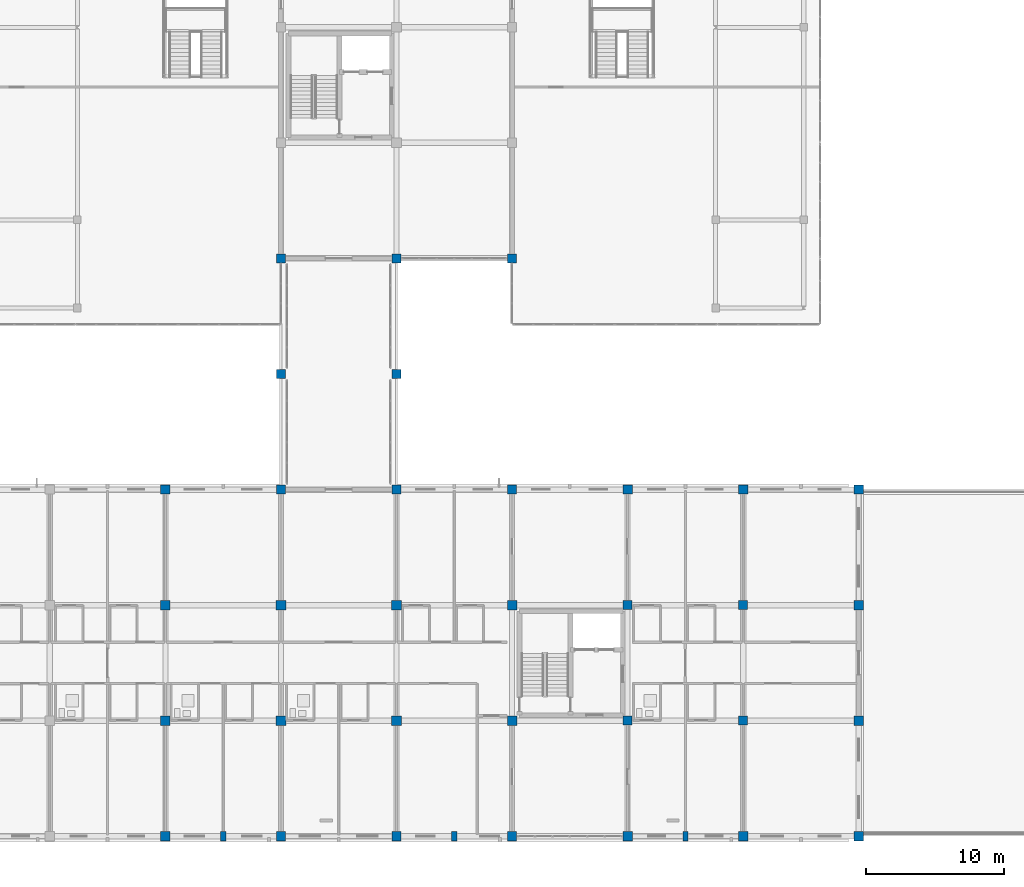
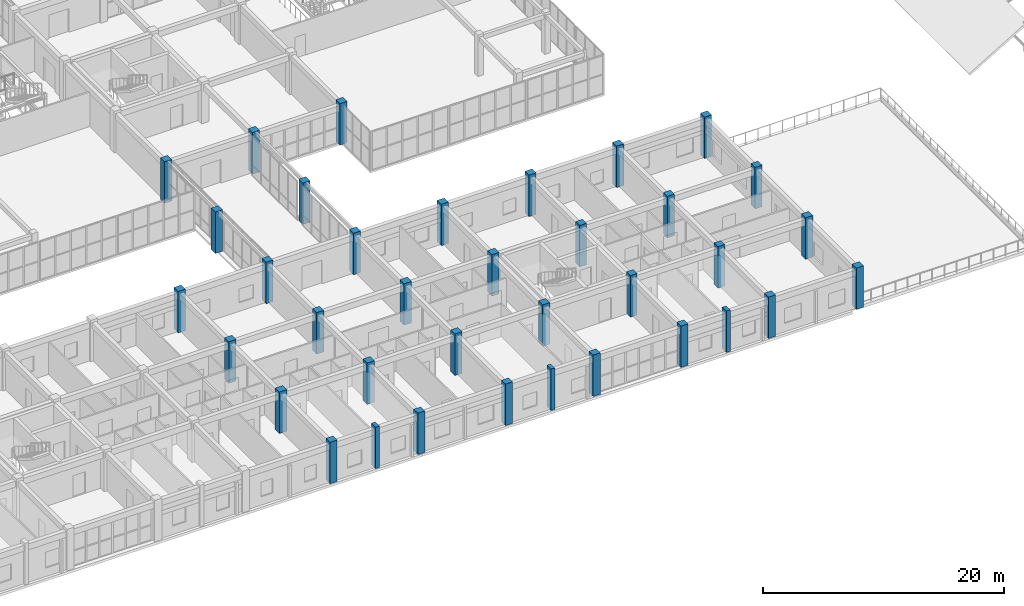
# One storey, part 3 of 140: 36 columns.
"""IFC4 building model written with IfcOpenShell, lengths in metres."""

from ifc_helpers import new_model, si_unit, direction, frame, origin, origin_2d, place, context, subcontext, project, spatial, rectangle, extrude, material, material_profile, profile_set, type_object, element, save


model = new_model("IFC4")

# Units and contexts
model_context = context("Model", 3, precision=1e-05, world=origin(), true_north=direction((0.0, 1.0)))
body_context = subcontext(model_context, "Body", "Model", "MODEL_VIEW")
ifc_project = project(units=[si_unit("LENGTHUNIT", "METRE"), si_unit("AREAUNIT", "SQUARE_METRE"), si_unit("VOLUMEUNIT", "CUBIC_METRE"), si_unit("PLANEANGLEUNIT", "RADIAN"), si_unit("MASSUNIT", "GRAM", prefix="KILO")], contexts=[model_context])

# Site, building, storey
site_placement = place(None, origin())
site = spatial("IfcSite", under=ifc_project, at=site_placement, CompositionType="ELEMENT")
building_placement = place(site_placement, origin())
building = spatial("IfcBuilding", under=site, at=building_placement, Name="Trelvath General Hospital", CompositionType="ELEMENT")
storey_placement = place(building_placement, frame((0.0, 0.0, 16.199951171875)))
storey = spatial("IfcBuildingStorey", under=building, at=storey_placement, Name="L04", CompositionType="ELEMENT", Elevation=16.199951171875)

# Columns
ifc_material_1 = material(Name="Concrete C40/50", Category="concrete")
ifc_material_profile_1 = material_profile(ifc_material_1, rectangle(XDim=0.659912109375, YDim=0.659912109375, at=origin_2d()), Name="RC660x660")
ifc_profile_set_1 = profile_set([ifc_material_profile_1], Name="Concrete C40/50")
column_type_1 = type_object("IfcColumnType", Name="Column RC660", PredefinedType="COLUMN", material=ifc_profile_set_1)
for number, where, z_axis, x_axis, name in (
    (1, (100.800048828125, 8.39990234375, 0.0), (0.0, 0.0, 1.0), (1.0, 0.0, 0.0), "Column C-13B L04"),
    (2, (100.800048828125, 16.800048828125, 0.0), (0.0, 0.0, 1.0), (1.0, 0.0, 0.0), "Column C-13C L04"),
    (3, (109.199951171875, 8.39990234375, 0.0), (0.0, 0.0, 1.0), (1.0, 0.0, 0.0), "Column C-14B L04"),
    (4, (109.199951171875, 16.800048828125, 0.0), (0.0, 0.0, 1.0), (1.0, 0.0, 0.0), "Column C-14C L04"),
):
    element("IfcColumn", number, at=place(storey_placement, frame(where, z_axis=z_axis, x_axis=x_axis)), inside=storey, type_object=column_type_1, Name=name, PredefinedType="COLUMN", context=body_context, shape_type="SweptSolid", body=[
        extrude(rectangle(XDim=0.659912109375, YDim=0.659912109375, at=origin_2d()), origin(), (0.0, 0.0, 1.0), 4.199951171875),
    ])
ifc_material_2 = material(Name="Concrete C40/50", Category="concrete")
ifc_material_profile_2 = material_profile(ifc_material_2, rectangle(XDim=0.679931640625, YDim=0.679931640625, at=origin_2d()), Name="RC680x680")
ifc_profile_set_2 = profile_set([ifc_material_profile_2], Name="Concrete C40/50")
column_type_2 = type_object("IfcColumnType", Name="Column RC680", PredefinedType="COLUMN", material=ifc_profile_set_2)
for number, where, z_axis, x_axis, name in (
    (5, (67.199951171875, 0.0, 0.0), (0.0, 0.0, 1.0), (1.0, 0.0, 0.0), "Column C-9A L04"),
    (6, (67.199951171875, 25.199951171875, 0.0), (0.0, 0.0, 1.0), (1.0, 0.0, 0.0), "Column C-9D L04"),
    (7, (75.60009765625, 0.0, 0.0), (0.0, 0.0, 1.0), (1.0, 0.0, 0.0), "Column C-10A L04"),
    (8, (75.60009765625, 25.199951171875, 0.0), (0.0, 0.0, 1.0), (1.0, 0.0, 0.0), "Column C-10D L04"),
    (9, (75.60009765625, 33.60009765625, 0.0), (0.0, 0.0, 1.0), (1.0, 0.0, 0.0), "Column C-10E L04"),
    (10, (75.60009765625, 42.0, 0.0), (0.0, 0.0, 1.0), (1.0, 0.0, 0.0), "Column C-10F L04"),
    (11, (84.0, 0.0, 0.0), (0.0, 0.0, 1.0), (1.0, 0.0, 0.0), "Column C-11A L04"),
    (12, (84.0, 25.199951171875, 0.0), (0.0, 0.0, 1.0), (1.0, 0.0, 0.0), "Column C-11D L04"),
    (13, (84.0, 33.60009765625, 0.0), (0.0, 0.0, 1.0), (1.0, 0.0, 0.0), "Column C-11E L04"),
    (14, (84.0, 42.0, 0.0), (0.0, 0.0, 1.0), (1.0, 0.0, 0.0), "Column C-11F L04"),
    (15, (92.39990234375, 0.0, 0.0), (0.0, 0.0, 1.0), (1.0, 0.0, 0.0), "Column C-12A L04"),
    (16, (92.39990234375, 25.199951171875, 0.0), (0.0, 0.0, 1.0), (1.0, 0.0, 0.0), "Column C-12D L04"),
    (17, (92.39990234375, 42.0, 0.0), (0.0, 0.0, 1.0), (1.0, 0.0, 0.0), "Column C-12F L04"),
    (18, (100.800048828125, 0.0, 0.0), (0.0, 0.0, 1.0), (1.0, 0.0, 0.0), "Column C-13A L04"),
    (19, (100.800048828125, 25.199951171875, 0.0), (0.0, 0.0, 1.0), (1.0, 0.0, 0.0), "Column C-13D L04"),
    (20, (109.199951171875, 0.0, 0.0), (0.0, 0.0, 1.0), (1.0, 0.0, 0.0), "Column C-14A L04"),
    (21, (109.199951171875, 25.199951171875, 0.0), (0.0, 0.0, 1.0), (1.0, 0.0, 0.0), "Column C-14D L04"),
    (22, (117.60009765625, 0.0, 0.0), (0.0, 0.0, 1.0), (1.0, 0.0, 0.0), "Column C-15A L04"),
    (23, (117.60009765625, 8.39990234375, 0.0), (0.0, 0.0, 1.0), (1.0, 0.0, 0.0), "Column C-15B L04"),
    (24, (117.60009765625, 16.800048828125, 0.0), (0.0, 0.0, 1.0), (1.0, 0.0, 0.0), "Column C-15C L04"),
    (25, (117.60009765625, 25.199951171875, 0.0), (0.0, 0.0, 1.0), (1.0, 0.0, 0.0), "Column C-15D L04"),
):
    element("IfcColumn", number, at=place(storey_placement, frame(where, z_axis=z_axis, x_axis=x_axis)), inside=storey, type_object=column_type_2, Name=name, PredefinedType="COLUMN", context=body_context, shape_type="SweptSolid", body=[
        extrude(rectangle(XDim=0.679931640625, YDim=0.679931640625, at=origin_2d()), origin(), (0.0, 0.0, 1.0), 4.199951171875),
    ])
ifc_material_3 = material(Name="Concrete C40/50", Category="concrete")
ifc_material_profile_3 = material_profile(ifc_material_3, rectangle(XDim=0.699951171875, YDim=0.699951171875, at=origin_2d()), Name="RC700x700")
ifc_profile_set_3 = profile_set([ifc_material_profile_3], Name="Concrete C40/50")
column_type_3 = type_object("IfcColumnType", Name="Column RC700", PredefinedType="COLUMN", material=ifc_profile_set_3)
for number, where, z_axis, x_axis, name in (
    (26, (67.199951171875, 8.39990234375, 0.0), (0.0, 0.0, 1.0), (1.0, 0.0, 0.0), "Column C-9B L04"),
    (27, (67.199951171875, 16.800048828125, 0.0), (0.0, 0.0, 1.0), (1.0, 0.0, 0.0), "Column C-9C L04"),
    (28, (75.60009765625, 8.39990234375, 0.0), (0.0, 0.0, 1.0), (1.0, 0.0, 0.0), "Column C-10B L04"),
    (29, (75.60009765625, 16.800048828125, 0.0), (0.0, 0.0, 1.0), (1.0, 0.0, 0.0), "Column C-10C L04"),
    (30, (84.0, 8.39990234375, 0.0), (0.0, 0.0, 1.0), (1.0, 0.0, 0.0), "Column C-11B L04"),
    (31, (84.0, 16.800048828125, 0.0), (0.0, 0.0, 1.0), (1.0, 0.0, 0.0), "Column C-11C L04"),
    (32, (92.39990234375, 8.39990234375, 0.0), (0.0, 0.0, 1.0), (1.0, 0.0, 0.0), "Column C-12B L04"),
    (33, (92.39990234375, 16.800048828125, 0.0), (0.0, 0.0, 1.0), (1.0, 0.0, 0.0), "Column C-12C L04"),
):
    element("IfcColumn", number, at=place(storey_placement, frame(where, z_axis=z_axis, x_axis=x_axis)), inside=storey, type_object=column_type_3, Name=name, PredefinedType="COLUMN", context=body_context, shape_type="SweptSolid", body=[
        extrude(rectangle(XDim=0.699951171875, YDim=0.699951171875, at=origin_2d()), origin(), (0.0, 0.0, 1.0), 4.199951171875),
    ])
ifc_material_4 = material(Name="Concrete C40/50", Category="concrete")
ifc_material_profile_4 = material_profile(ifc_material_4, rectangle(XDim=0.3798828125, YDim=0.679931640625, at=origin_2d()), Name="RC380x680")
ifc_profile_set_4 = profile_set([ifc_material_profile_4], Name="Concrete C40/50")
column_type_4 = type_object("IfcColumnType", Name="Pilaster RC380x680", PredefinedType="PILASTER", material=ifc_profile_set_4)
for number, where, z_axis, x_axis, name in (
    (34, (71.39990234375, 0.0, 0.0), (0.0, 0.0, 1.0), (1.0, 0.0, 0.0), "Facade Pilaster PL-S08 L04"),
    (35, (88.199951171875, 0.0, 0.0), (0.0, 0.0, 1.0), (1.0, 0.0, 0.0), "Facade Pilaster PL-S10 L04"),
    (36, (105.0, 0.0, 0.0), (0.0, 0.0, 1.0), (1.0, 0.0, 0.0), "Facade Pilaster PL-S12 L04"),
):
    element("IfcColumn", number, at=place(storey_placement, frame(where, z_axis=z_axis, x_axis=x_axis)), inside=storey, type_object=column_type_4, Name=name, PredefinedType="PILASTER", context=body_context, shape_type="SweptSolid", body=[
        extrude(rectangle(XDim=0.3798828125, YDim=0.679931640625, at=origin_2d()), origin(), (0.0, 0.0, 1.0), 4.199951171875),
    ])

save(model, "model.ifc")
